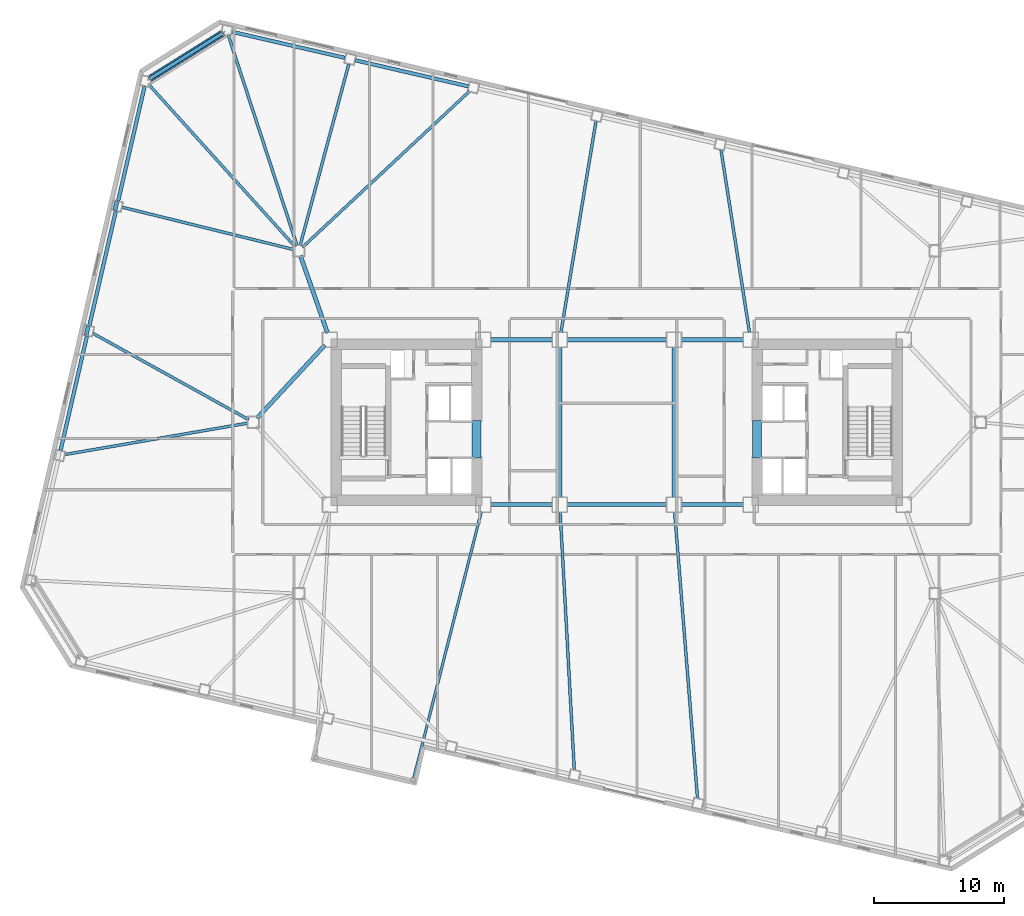
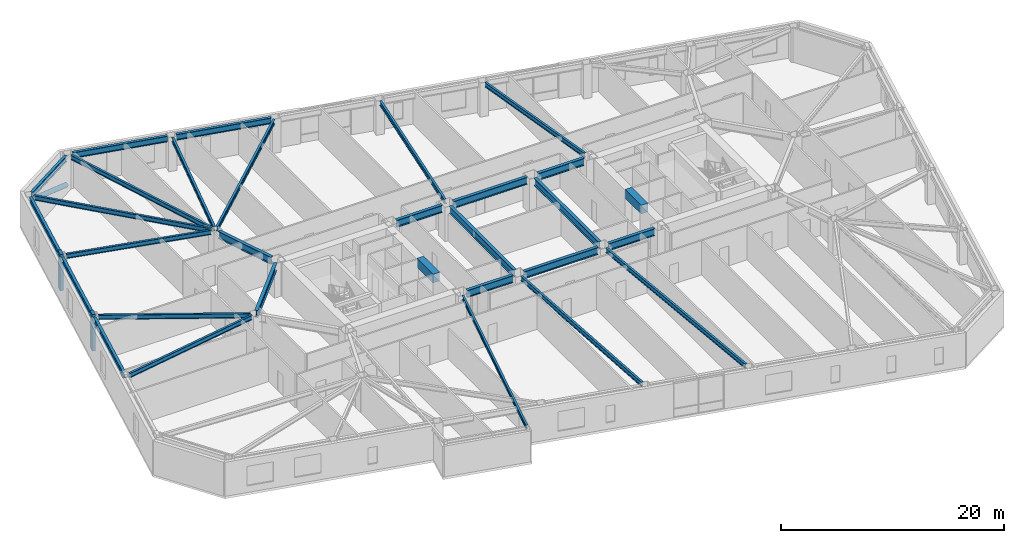
# One storey, part 4 of 18: 30 beams, 3 members.
"""IFC4 building model written with IfcOpenShell, lengths in metres."""

from ifc_helpers import new_model, si_unit, direction, frame, origin, origin_2d, place, context, subcontext, project, spatial, rectangle, hollow_circle, i_section, extrude, material, material_profile, profile_set, type_object, element, save


model = new_model("IFC4")

# Units and contexts
model_context = context("Model", 3, precision=1e-05, world=origin(), true_north=direction((0.0, 1.0)))
body_context = subcontext(model_context, "Body", "Model", "MODEL_VIEW")
ifc_project = project(units=[si_unit("LENGTHUNIT", "METRE"), si_unit("AREAUNIT", "SQUARE_METRE"), si_unit("VOLUMEUNIT", "CUBIC_METRE"), si_unit("PLANEANGLEUNIT", "RADIAN"), si_unit("MASSUNIT", "GRAM", prefix="KILO")], contexts=[model_context])

# Site, building, storey
site_placement = place(None, origin())
site = spatial("IfcSite", under=ifc_project, at=site_placement, CompositionType="ELEMENT")
building_placement = place(site_placement, origin())
building = spatial("IfcBuilding", under=site, at=building_placement, Name="Tavrogorsk Clinical Tower", CompositionType="ELEMENT")
storey_placement = place(building_placement, frame((0.0, 0.0, 51.39990234375)))
storey = spatial("IfcBuildingStorey", under=building, at=storey_placement, Name="L10", CompositionType="ELEMENT", Elevation=51.39990234375)

# Beams
ifc_material_1 = material(Name="Concrete B80", Category="concrete")
ifc_material_profile_1 = material_profile(ifc_material_1, rectangle(XDim=0.699951171875, YDim=0.949951171875, at=origin_2d()), Name="RC-CB-700x950")
ifc_profile_set_1 = profile_set([ifc_material_profile_1], Name="Concrete B80")
beam_type_1 = type_object("IfcBeamType", Name="CouplingBeam_RC700x950", PredefinedType="LINTEL", material=ifc_profile_set_1)
for number, where, z_axis, x_axis, name in (
    (1, (-10.800048828125, -2.75, 3.26513671875), (0.0, 1.0, 0.0), (-1.0, 0.0, 0.0), "L10 Core West Coupling Beam"),
    (2, (10.800048828125, -2.75, 3.26513671875), (0.0, 1.0, 0.0), (-1.0, 0.0, 0.0), "L10 Core East Coupling Beam"),
):
    element("IfcBeam", number, at=place(storey_placement, frame(where, z_axis=z_axis, x_axis=x_axis)), inside=storey, type_object=beam_type_1, Name=name, PredefinedType="LINTEL", context=body_context, shape_type="SweptSolid", body=[
        extrude(rectangle(XDim=0.699951171875, YDim=0.949951171875, at=origin_2d()), origin(), (0.0, 0.0, 1.0), 2.89990234375),
    ])

# Member
ifc_material_2 = material(Name="Structural steel S440", Category="steel")
ifc_material_profile_2 = material_profile(ifc_material_2, hollow_circle(Radius=0.25390625, WallThickness=0.02001953125, at=origin_2d()), Name="CHS-508x20")
ifc_profile_set_2 = profile_set([ifc_material_profile_2], Name="Structural steel S440")
member_type_1 = type_object("IfcMemberType", Name="ExoBrace_CHS508", PredefinedType="BRACE", material=ifc_profile_set_2)
member_placement = place(storey_placement, frame((-30.364013671875, 29.9541015625, 0.442626953125), z_axis=(-0.794678685861, -0.496570017703, 0.349147538667), x_axis=(0.529919005048, -0.848048258113, 0.0)))
element("IfcMember", 3, at=member_placement, inside=storey, type_object=member_type_1, Name="L10 Corner Exoskeleton Brace N8-W1", PredefinedType="BRACE", context=body_context, shape_type="SweptSolid", body=[
    extrude(hollow_circle(Radius=0.25390625, WallThickness=0.02001953125, at=origin_2d()), origin(), (0.0, 0.0, 1.0), 7.03173828125),
])

# Beams
ifc_material_3 = material(Name="Structural steel S355", Category="steel")
ifc_material_profile_3 = material_profile(ifc_material_3, i_section(OverallWidth=0.199951171875, OverallDepth=0.449951171875, WebThickness=0.011474609375, FlangeThickness=0.01806640625, at=origin_2d()), Name="B-450x200x11.5x18")
ifc_profile_set_3 = profile_set([ifc_material_profile_3], Name="Structural steel S355")
beam_type_2 = type_object("IfcBeamType", Name="FloorBeam_B450", PredefinedType="BEAM", material=ifc_profile_set_3)
beam_1_placement = place(storey_placement, frame((-10.437744140625, -6.892822265625, 3.51513671875), z_axis=(-0.246079129075, -0.969249741931, 0.0), x_axis=(0.969249741931, -0.246079129075, 0.0)))
element("IfcBeam", 4, at=beam_1_placement, inside=storey, type_object=beam_type_2, Name="L10 Day-Room Cantilever Beam DRB-01-R", PredefinedType="BEAM", context=body_context, shape_type="SweptSolid", body=[
    extrude(i_section(OverallWidth=0.199951171875, OverallDepth=0.449951171875, WebThickness=0.011474609375, FlangeThickness=0.01806640625, at=origin_2d()), origin(), (0.0, 0.0, 1.0), 21.19482421875),
])
ifc_material_4 = material(Name="Structural steel S355", Category="steel")
ifc_material_profile_4 = material_profile(ifc_material_4, i_section(OverallWidth=0.219970703125, OverallDepth=0.5, WebThickness=0.012939453125, FlangeThickness=0.02001953125, at=origin_2d()), Name="B-500x220x13x20")
ifc_profile_set_4 = profile_set([ifc_material_profile_4], Name="Structural steel S355")
beam_type_3 = type_object("IfcBeamType", Name="FloorBeam_B500", PredefinedType="BEAM", material=ifc_profile_set_4)
beam_2_placement = place(storey_placement, frame((-4.369384765625, -6.9091796875, 3.489990234375), z_axis=(0.054826938013, -0.998495872234, 0.0), x_axis=(0.998495872234, 0.054826938013, 0.0)))
element("IfcBeam", 5, at=beam_2_placement, inside=storey, type_object=beam_type_3, Name="L10 Radial Floor Beam S5", PredefinedType="BEAM", context=body_context, shape_type="SweptSolid", body=[
    extrude(i_section(OverallWidth=0.219970703125, OverallDepth=0.5, WebThickness=0.012939453125, FlangeThickness=0.02001953125, at=origin_2d()), origin(), (0.0, 0.0, 1.0), 19.891357421875),
])
beam_3_placement = place(storey_placement, frame((4.444580078125, -6.908203125, 3.489990234375), z_axis=(0.079775043579, -0.996812892384, 0.0), x_axis=(0.996812892384, 0.079775043579, 0.0)))
element("IfcBeam", 6, at=beam_3_placement, inside=storey, type_object=beam_type_3, Name="L10 Radial Floor Beam S6", PredefinedType="BEAM", context=body_context, shape_type="SweptSolid", body=[
    extrude(i_section(OverallWidth=0.219970703125, OverallDepth=0.5, WebThickness=0.012939453125, FlangeThickness=0.02001953125, at=origin_2d()), origin(), (0.0, 0.0, 1.0), 22.12646484375),
])
beam_4_placement = place(storey_placement, frame((10.213623046875, 6.9033203125, 3.489990234375), z_axis=(-0.154089917001, 0.988056829073, 0.0), x_axis=(-0.988056829073, -0.154089917001, 0.0)))
element("IfcBeam", 7, at=beam_4_placement, inside=storey, type_object=beam_type_3, Name="L10 Radial Floor Beam N4", PredefinedType="BEAM", context=body_context, shape_type="SweptSolid", body=[
    extrude(i_section(OverallWidth=0.219970703125, OverallDepth=0.5, WebThickness=0.012939453125, FlangeThickness=0.02001953125, at=origin_2d()), origin(), (0.0, 0.0, 1.0), 14.24853515625),
])
beam_5_placement = place(storey_placement, frame((-4.308349609375, 6.90234375, 3.489990234375), z_axis=(0.163563683006, 0.986532777763, 0.0), x_axis=(-0.986532777763, 0.163563683006, 0.0)))
element("IfcBeam", 8, at=beam_5_placement, inside=storey, type_object=beam_type_3, Name="L10 Radial Floor Beam N5", PredefinedType="BEAM", context=body_context, shape_type="SweptSolid", body=[
    extrude(i_section(OverallWidth=0.219970703125, OverallDepth=0.5, WebThickness=0.012939453125, FlangeThickness=0.02001953125, at=origin_2d()), origin(), (0.0, 0.0, 1.0), 16.4951171875),
])
beam_6_placement = place(storey_placement, frame((-24.200439453125, 13.47998046875, 3.489990234375), z_axis=(0.730781163302, 0.682611816015, 0.0), x_axis=(-0.682611816015, 0.730781163302, 0.0)))
element("IfcBeam", 9, at=beam_6_placement, inside=storey, type_object=beam_type_3, Name="L10 Radial Floor Beam N6", PredefinedType="BEAM", context=body_context, shape_type="SweptSolid", body=[
    extrude(i_section(OverallWidth=0.219970703125, OverallDepth=0.5, WebThickness=0.012939453125, FlangeThickness=0.02001953125, at=origin_2d()), origin(), (0.0, 0.0, 1.0), 17.597412109375),
])
beam_7_placement = place(storey_placement, frame((-24.393798828125, 13.595947265625, 3.489990234375), z_axis=(0.25900262632, 0.965876617151, 0.0), x_axis=(-0.965876617151, 0.25900262632, 0.0)))
element("IfcBeam", 10, at=beam_7_placement, inside=storey, type_object=beam_type_3, Name="L10 Radial Floor Beam N7", PredefinedType="BEAM", context=body_context, shape_type="SweptSolid", body=[
    extrude(i_section(OverallWidth=0.219970703125, OverallDepth=0.5, WebThickness=0.012939453125, FlangeThickness=0.02001953125, at=origin_2d()), origin(), (0.0, 0.0, 1.0), 14.46728515625),
])
beam_8_placement = place(storey_placement, frame((-24.62744140625, 13.58984375, 3.489990234375), z_axis=(-0.310546210819, 0.950558283824, 0.0), x_axis=(-0.950558283824, -0.310546210819, 0.0)))
element("IfcBeam", 11, at=beam_8_placement, inside=storey, type_object=beam_type_3, Name="L10 Radial Floor Beam N8", PredefinedType="BEAM", context=body_context, shape_type="SweptSolid", body=[
    extrude(i_section(OverallWidth=0.219970703125, OverallDepth=0.5, WebThickness=0.012939453125, FlangeThickness=0.02001953125, at=origin_2d()), origin(), (0.0, 0.0, 1.0), 17.0205078125),
])
beam_9_placement = place(storey_placement, frame((-24.774658203125, 13.50439453125, 3.489990234375), z_axis=(-0.669660294237, 0.742667550337, 0.0), x_axis=(-0.742667550337, -0.669660294237, 0.0)))
element("IfcBeam", 12, at=beam_9_placement, inside=storey, type_object=beam_type_3, Name="L10 Radial Floor Beam W1", PredefinedType="BEAM", context=body_context, shape_type="SweptSolid", body=[
    extrude(i_section(OverallWidth=0.219970703125, OverallDepth=0.5, WebThickness=0.012939453125, FlangeThickness=0.02001953125, at=origin_2d()), origin(), (0.0, 0.0, 1.0), 16.76708984375),
])
beam_10_placement = place(storey_placement, frame((-24.89794921875, 13.298095703125, 3.489990234375), z_axis=(-0.970889910259, 0.23952616174, 0.0), x_axis=(-0.23952616174, -0.970889910259, 0.0)))
element("IfcBeam", 13, at=beam_10_placement, inside=storey, type_object=beam_type_3, Name="L10 Radial Floor Beam W2", PredefinedType="BEAM", context=body_context, shape_type="SweptSolid", body=[
    extrude(i_section(OverallWidth=0.219970703125, OverallDepth=0.5, WebThickness=0.012939453125, FlangeThickness=0.02001953125, at=origin_2d()), origin(), (0.0, 0.0, 1.0), 13.595947265625),
])
beam_11_placement = place(storey_placement, frame((-28.358642578125, 0.19873046875, 3.489990234375), z_axis=(-0.874654711976, 0.484746464472, 0.0), x_axis=(-0.484746464472, -0.874654711976, 0.0)))
element("IfcBeam", 14, at=beam_11_placement, inside=storey, type_object=beam_type_3, Name="L10 Radial Floor Beam W3", PredefinedType="BEAM", context=body_context, shape_type="SweptSolid", body=[
    extrude(i_section(OverallWidth=0.219970703125, OverallDepth=0.5, WebThickness=0.012939453125, FlangeThickness=0.02001953125, at=origin_2d()), origin(), (0.0, 0.0, 1.0), 13.7158203125),
])
beam_12_placement = place(storey_placement, frame((-28.404052734375, -0.0693359375, 3.489990234375), z_axis=(-0.985592408786, -0.169137824698, 0.0), x_axis=(0.169137824698, -0.985592408786, 0.0)))
element("IfcBeam", 15, at=beam_12_placement, inside=storey, type_object=beam_type_3, Name="L10 Radial Floor Beam W4", PredefinedType="BEAM", context=body_context, shape_type="SweptSolid", body=[
    extrude(i_section(OverallWidth=0.219970703125, OverallDepth=0.5, WebThickness=0.012939453125, FlangeThickness=0.02001953125, at=origin_2d()), origin(), (0.0, 0.0, 1.0), 14.33056640625),
])

# Members
ifc_material_5 = material(Name="Precast concrete B45 with limestone cladding", Category="masonry")
ifc_material_profile_5 = material_profile(ifc_material_5, rectangle(XDim=0.320068359375, YDim=0.719970703125, at=origin_2d()), Name="LIMESTONE-FIN-320x720")
ifc_profile_set_5 = profile_set([ifc_material_profile_5], Name="Precast concrete B45 with limestone cladding")
member_type_2 = type_object("IfcMemberType", Name="LimestonePleatFin_320x720", PredefinedType="USERDEFINED", material=ifc_profile_set_5)
for number, where, z_axis, x_axis, name in (
    (16, (-38.572265625, 16.67041015625, 0.0), (0.0, 0.0, 1.0), (0.974370064785, -0.224951054344, 0.0), "L10 W Pleated Stone Fin 1"),
    (17, (-40.7900390625, 7.06298828125, 0.0), (0.0, 0.0, 1.0), (0.974370064785, -0.224951054344, 0.0), "L10 W Pleated Stone Fin 2"),
):
    element("IfcMember", number, at=place(storey_placement, frame(where, z_axis=z_axis, x_axis=x_axis)), inside=storey, type_object=member_type_2, Name=name, ObjectType="FIN", PredefinedType="USERDEFINED", context=body_context, shape_type="SweptSolid", body=[
        extrude(rectangle(XDim=0.320068359375, YDim=0.719970703125, at=origin_2d()), origin(), (0.0, 0.0, 1.0), 4.0),
    ])

# Beams
ifc_material_6 = material(Name="Structural steel S390", Category="steel")
ifc_material_profile_6 = material_profile(ifc_material_6, i_section(OverallWidth=0.320068359375, OverallDepth=0.800048828125, WebThickness=0.02001953125, FlangeThickness=0.033935546875, at=origin_2d()), Name="B-800x320x20x34")
ifc_profile_set_6 = profile_set([ifc_material_profile_6], Name="Structural steel S390")
beam_type_4 = type_object("IfcBeamType", Name="PrimaryGirder_B800", PredefinedType="USERDEFINED", material=ifc_profile_set_6)
for number, where, z_axis, x_axis, name in (
    (18, (-9.739990234375, -6.35009765625, 3.340087890625), (1.0, 0.0, 0.0), (0.0, 1.0, 0.0), "L10 Primary Spine Girder MG-01"),
    (19, (-9.739990234375, 6.35009765625, 3.340087890625), (1.0, 0.0, 0.0), (0.0, 1.0, 0.0), "L10 Primary Spine Girder MG-02"),
):
    element("IfcBeam", number, at=place(storey_placement, frame(where, z_axis=z_axis, x_axis=x_axis)), inside=storey, type_object=beam_type_4, Name=name, ObjectType="GIRDER", PredefinedType="USERDEFINED", context=body_context, shape_type="SweptSolid", body=[
        extrude(i_section(OverallWidth=0.320068359375, OverallDepth=0.800048828125, WebThickness=0.02001953125, FlangeThickness=0.033935546875, at=origin_2d()), origin(), (0.0, 0.0, 1.0), 4.780029296875),
    ])
for number, where, z_axis, x_axis, name in (
    (20, (-3.840087890625, -6.35009765625, 3.340087890625), (1.0, 0.0, 0.0), (0.0, 1.0, 0.0), "L10 Primary Spine Girder MG-03"),
    (21, (-3.840087890625, 6.35009765625, 3.340087890625), (1.0, 0.0, 0.0), (0.0, 1.0, 0.0), "L10 Primary Spine Girder MG-04"),
):
    element("IfcBeam", number, at=place(storey_placement, frame(where, z_axis=z_axis, x_axis=x_axis)), inside=storey, type_object=beam_type_4, Name=name, ObjectType="GIRDER", PredefinedType="USERDEFINED", context=body_context, shape_type="SweptSolid", body=[
        extrude(i_section(OverallWidth=0.320068359375, OverallDepth=0.800048828125, WebThickness=0.02001953125, FlangeThickness=0.033935546875, at=origin_2d()), origin(), (0.0, 0.0, 1.0), 7.68017578125),
    ])
for number, where, z_axis, x_axis, name in (
    (22, (4.9599609375, -6.35009765625, 3.340087890625), (1.0, 0.0, 0.0), (0.0, 1.0, 0.0), "L10 Primary Spine Girder MG-05"),
    (23, (4.9599609375, 6.35009765625, 3.340087890625), (1.0, 0.0, 0.0), (0.0, 1.0, 0.0), "L10 Primary Spine Girder MG-06"),
):
    element("IfcBeam", number, at=place(storey_placement, frame(where, z_axis=z_axis, x_axis=x_axis)), inside=storey, type_object=beam_type_4, Name=name, ObjectType="GIRDER", PredefinedType="USERDEFINED", context=body_context, shape_type="SweptSolid", body=[
        extrude(i_section(OverallWidth=0.320068359375, OverallDepth=0.800048828125, WebThickness=0.02001953125, FlangeThickness=0.033935546875, at=origin_2d()), origin(), (0.0, 0.0, 1.0), 4.780029296875),
    ])
for number, where, z_axis, x_axis, name in (
    (24, (-4.39990234375, -5.7900390625, 3.340087890625), (0.0, 1.0, 0.0), (-1.0, 0.0, 0.0), "L10 Primary Spine Girder MG-07"),
    (25, (4.39990234375, -5.7900390625, 3.340087890625), (0.0, 1.0, 0.0), (-1.0, 0.0, 0.0), "L10 Primary Spine Girder MG-08"),
):
    element("IfcBeam", number, at=place(storey_placement, frame(where, z_axis=z_axis, x_axis=x_axis)), inside=storey, type_object=beam_type_4, Name=name, ObjectType="GIRDER", PredefinedType="USERDEFINED", context=body_context, shape_type="SweptSolid", body=[
        extrude(i_section(OverallWidth=0.320068359375, OverallDepth=0.800048828125, WebThickness=0.02001953125, FlangeThickness=0.033935546875, at=origin_2d()), origin(), (0.0, 0.0, 1.0), 11.580078125),
    ])
beam_13_placement = place(storey_placement, frame((-24.364501953125, 12.81298828125, 3.340087890625), z_axis=(0.330668611543, -0.943746930771, 0.0), x_axis=(0.943746930771, 0.330668611543, 0.0)))
element("IfcBeam", 26, at=beam_13_placement, inside=storey, type_object=beam_type_4, Name="L10 Spine Link Girder OPG-3", ObjectType="GIRDER", PredefinedType="USERDEFINED", context=body_context, shape_type="SweptSolid", body=[
    extrude(i_section(OverallWidth=0.320068359375, OverallDepth=0.800048828125, WebThickness=0.02001953125, FlangeThickness=0.033935546875, at=origin_2d()), origin(), (0.0, 0.0, 1.0), 6.288330078125),
])
beam_14_placement = place(storey_placement, frame((-27.720947265625, 0.30029296875, 3.340087890625), z_axis=(0.680671250221, 0.732589004233, 0.0), x_axis=(-0.732589004233, 0.680671250221, 0.0)))
element("IfcBeam", 27, at=beam_14_placement, inside=storey, type_object=beam_type_4, Name="L10 Spine Link Girder OPG-6", ObjectType="GIRDER", PredefinedType="USERDEFINED", context=body_context, shape_type="SweptSolid", body=[
    extrude(i_section(OverallWidth=0.320068359375, OverallDepth=0.800048828125, WebThickness=0.02001953125, FlangeThickness=0.033935546875, at=origin_2d()), origin(), (0.0, 0.0, 1.0), 7.697998046875),
])
ifc_material_7 = material(Name="Structural steel S390", Category="steel")
ifc_material_profile_7 = material_profile(ifc_material_7, i_section(OverallWidth=0.280029296875, OverallDepth=0.64990234375, WebThickness=0.01611328125, FlangeThickness=0.02490234375, at=origin_2d()), Name="B-650x280x16x25")
ifc_profile_set_7 = profile_set([ifc_material_profile_7], Name="Structural steel S390")
beam_type_5 = type_object("IfcBeamType", Name="SpandrelBeam_B650", PredefinedType="SPANDREL", material=ifc_profile_set_7)
for number, where, z_axis, x_axis, name in (
    (28, (-11.43994140625, 25.862548828125, 3.4150390625), (-0.974372766602, 0.224939351168, 0.0), (-0.224939351168, -0.974372766602, 0.0), "L10 Perimeter Spandrel N6-N7"),
    (29, (-20.9384765625, 28.055419921875, 3.4150390625), (-0.974366775889, 0.224965299645, 0.0), (-0.224965299645, -0.974366775889, 0.0), "L10 Perimeter Spandrel N7-N8"),
):
    element("IfcBeam", number, at=place(storey_placement, frame(where, z_axis=z_axis, x_axis=x_axis)), inside=storey, type_object=beam_type_5, Name=name, PredefinedType="SPANDREL", context=body_context, shape_type="SweptSolid", body=[
        extrude(i_section(OverallWidth=0.280029296875, OverallDepth=0.64990234375, WebThickness=0.01611328125, FlangeThickness=0.02490234375, at=origin_2d()), origin(), (0.0, 0.0, 1.0), 8.9326171875),
    ])
beam_15_placement = place(storey_placement, frame((-30.3857421875, 29.9404296875, 3.4150390625), z_axis=(-0.848044454239, -0.529925092475, 0.0), x_axis=(0.529925092475, -0.848044454239, 0.0)))
element("IfcBeam", 30, at=beam_15_placement, inside=storey, type_object=beam_type_5, Name="L10 Perimeter Spandrel N8-W1", PredefinedType="SPANDREL", context=body_context, shape_type="SweptSolid", body=[
    extrude(i_section(OverallWidth=0.280029296875, OverallDepth=0.64990234375, WebThickness=0.01611328125, FlangeThickness=0.02490234375, at=origin_2d()), origin(), (0.0, 0.0, 1.0), 6.537841796875),
])
beam_16_placement = place(storey_placement, frame((-36.367919921875, 25.862060546875, 3.4150390625), z_axis=(-0.224952169462, -0.974369807339, 0.0), x_axis=(0.974369807339, -0.224952169462, 0.0)))
element("IfcBeam", 31, at=beam_16_placement, inside=storey, type_object=beam_type_5, Name="L10 Perimeter Spandrel W1-W2", PredefinedType="SPANDREL", context=body_context, shape_type="SweptSolid", body=[
    extrude(i_section(OverallWidth=0.280029296875, OverallDepth=0.64990234375, WebThickness=0.01611328125, FlangeThickness=0.02490234375, at=origin_2d()), origin(), (0.0, 0.0, 1.0), 9.043701171875),
])
beam_17_placement = place(storey_placement, frame((-38.5859375, 16.2548828125, 3.4150390625), z_axis=(-0.224946252597, -0.974371173343, 0.0), x_axis=(0.974371173343, -0.224946252597, 0.0)))
element("IfcBeam", 32, at=beam_17_placement, inside=storey, type_object=beam_type_5, Name="L10 Perimeter Spandrel W2-W3", PredefinedType="SPANDREL", context=body_context, shape_type="SweptSolid", body=[
    extrude(i_section(OverallWidth=0.280029296875, OverallDepth=0.64990234375, WebThickness=0.01611328125, FlangeThickness=0.02490234375, at=origin_2d()), origin(), (0.0, 0.0, 1.0), 9.0439453125),
])
beam_18_placement = place(storey_placement, frame((-40.803955078125, 6.6474609375, 3.4150390625), z_axis=(-0.224952169462, -0.974369807339, 0.0), x_axis=(0.974369807339, -0.224952169462, 0.0)))
element("IfcBeam", 33, at=beam_18_placement, inside=storey, type_object=beam_type_5, Name="L10 Perimeter Spandrel W3-W4", PredefinedType="SPANDREL", context=body_context, shape_type="SweptSolid", body=[
    extrude(i_section(OverallWidth=0.280029296875, OverallDepth=0.64990234375, WebThickness=0.01611328125, FlangeThickness=0.02490234375, at=origin_2d()), origin(), (0.0, 0.0, 1.0), 9.043701171875),
])

save(model, "model.ifc")
